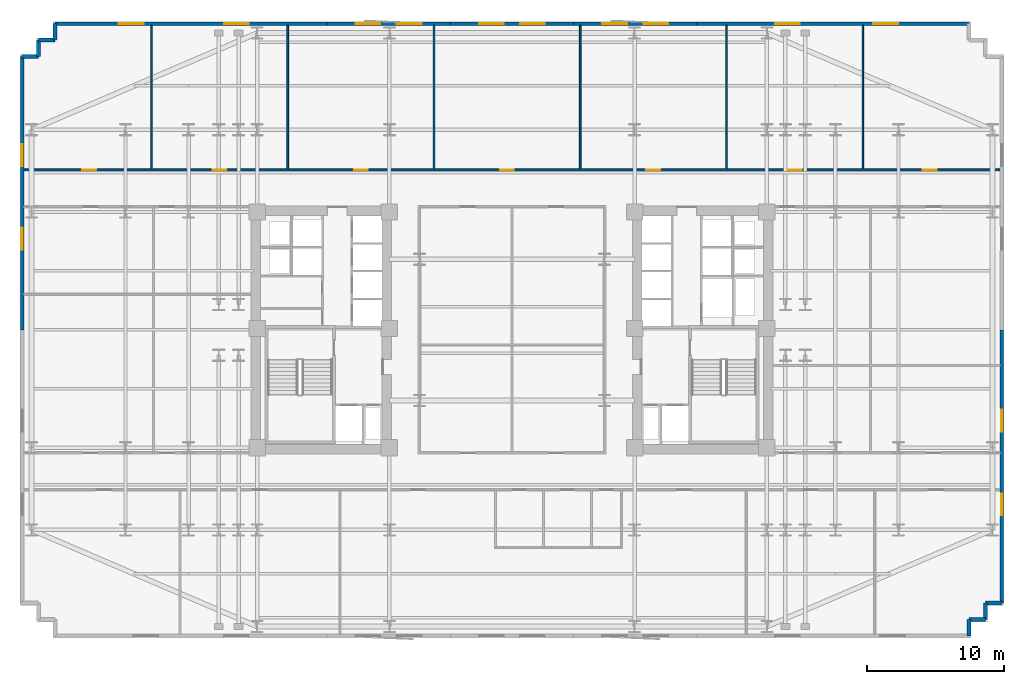
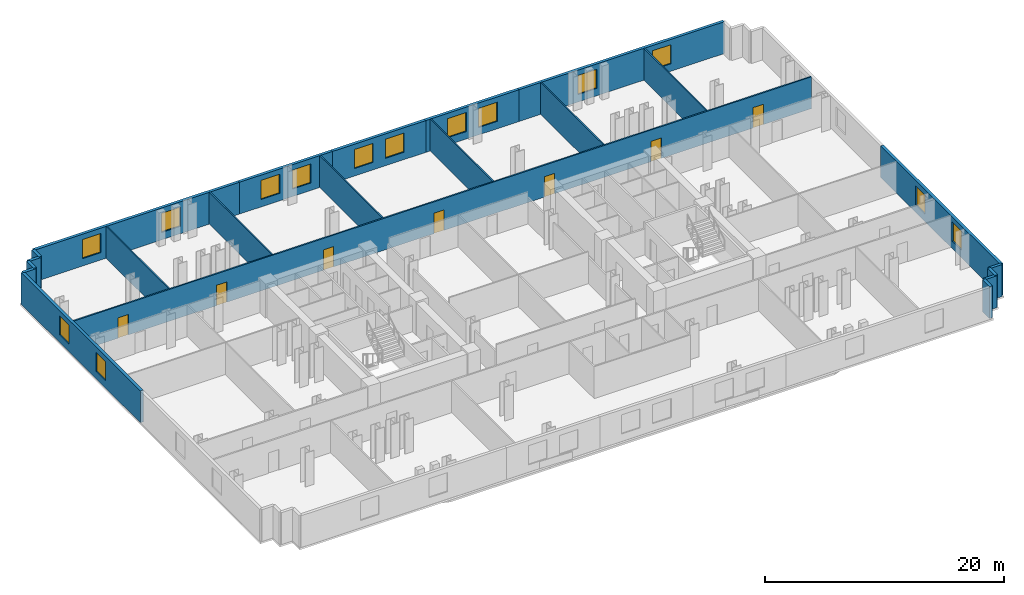
# One storey, part 7 of 10: 22 walls, 14 windows, 7 doors, 21 openings.
"""IFC4 building model written with IfcOpenShell, lengths in metres."""

from ifc_helpers import new_model, si_unit, direction, frame, frame_2d, origin, place, context, subcontext, project, spatial, rectangle, extrude, material, layer, layer_set, type_object, element, fill, save


model = new_model("IFC4")

# Units and contexts
model_context = context("Model", 3, precision=1e-05, world=origin(), true_north=direction((0.0, 1.0)))
body_context = subcontext(model_context, "Body", "Model", "MODEL_VIEW")
ifc_project = project(units=[si_unit("LENGTHUNIT", "METRE"), si_unit("AREAUNIT", "SQUARE_METRE"), si_unit("VOLUMEUNIT", "CUBIC_METRE"), si_unit("PLANEANGLEUNIT", "RADIAN"), si_unit("MASSUNIT", "GRAM", prefix="KILO")], contexts=[model_context])

# Site, building, storey
site_placement = place(None, origin())
site = spatial("IfcSite", under=ifc_project, at=site_placement, CompositionType="ELEMENT")
building_placement = place(site_placement, origin())
building = spatial("IfcBuilding", under=site, at=building_placement, Name="Velakula Bourse", CompositionType="ELEMENT")
storey_placement = place(building_placement, frame((0.0, 0.0, 62.25)))
storey = spatial("IfcBuildingStorey", under=building, at=storey_placement, Name="L16", CompositionType="ELEMENT", Elevation=62.25)

# Wall, openings, windows
ifc_material_1 = material(Name="Red kilned clay facing brick masonry", Category="masonry")
ifc_layer_1 = layer(ifc_material_1, 0.280029296875, Name="Red kilned clay facing brick masonry", Category="masonry")
ifc_layer_set_1 = layer_set([ifc_layer_1], Name="Red kilned clay facing brick masonry")
wall_type_1 = type_object("IfcWallType", Name="WL-EXT-BRK-280", PredefinedType="STANDARD", material=ifc_layer_set_1)
wall_1_placement = place(storey_placement, frame((-33.340087890625, 22.340087890625, 0.0), z_axis=(0.0, 0.0, 1.0), x_axis=(1.0, 0.0, 0.0)))
wall_1 = element("IfcWall", 1, at=wall_1_placement, inside=storey, type_object=wall_type_1, Name="L16 N Brick Spandrel Wall B1", PredefinedType="STANDARD", context=body_context, shape_type="SweptSolid", body=[
    extrude(rectangle(XDim=19.840087890625, YDim=0.280029296875, at=frame_2d((9.919921875, 0.0))), origin(), (0.0, 0.0, 1.0), 3.25),
])
opening_1_placement = place(wall_1_placement, frame((4.663330078125, 0.0, 0.760009765625)))
opening_1 = element("IfcOpeningElement", 2, at=opening_1_placement, cuts=wall_1, Name="Opening W-01", PredefinedType="OPENING", context=body_context, shape_type="SweptSolid", body=[
    extrude(rectangle(XDim=1.800048828125, YDim=1.949951171875, at=frame_2d((0.89990234375, 0.97509765625))), frame((0.0, 0.14990234375, 0.0), z_axis=(0.0, -1.0, 0.0), x_axis=(1.0, 0.0, 0.0)), (0.0, 0.0, 1.0), 0.300048828125),
])
opening_2_placement = place(wall_1_placement, frame((12.32666015625, 0.0, 0.760009765625)))
opening_2 = element("IfcOpeningElement", 3, at=opening_2_placement, cuts=wall_1, Name="Opening W-01", PredefinedType="OPENING", context=body_context, shape_type="SweptSolid", body=[
    extrude(rectangle(XDim=1.800048828125, YDim=1.949951171875, at=frame_2d((0.89990234375, 0.97509765625))), frame((0.0, 0.14990234375, 0.0), z_axis=(0.0, -1.0, 0.0), x_axis=(1.0, 0.0, 0.0)), (0.0, 0.0, 1.0), 0.300048828125),
])
ifc_material_2 = material(Name="Double-glazed solar-control Low-E glass", Category="glass")
window_type_1 = type_object("IfcWindowType", Name="WIN-TWR-1800x2100", PartitioningType="SINGLE_PANEL", PredefinedType="WINDOW", material=ifc_material_2)
window_1_placement = place(opening_1_placement, origin())
window_1 = element("IfcWindow", 4, at=window_1_placement, inside=storey, type_object=window_type_1, Name="L16 Deep-Set Recessed Window 1", OverallHeight=1.949951171875, OverallWidth=1.800048828125, PartitioningType="SINGLE_PANEL", PredefinedType="WINDOW", context=body_context, shape_type="SweptSolid", body=[
    extrude(rectangle(XDim=1.800048828125, YDim=1.949951171875, at=frame_2d((0.89990234375, 0.97509765625))), frame((0.0, 0.030029296875, 0.0), z_axis=(0.0, -1.0, 0.0), x_axis=(1.0, 0.0, 0.0)), (0.0, 0.0, 1.0), 0.06005859375),
])
fill(opening_1, window_1)
window_2_placement = place(opening_2_placement, origin())
window_2 = element("IfcWindow", 5, at=window_2_placement, inside=storey, type_object=window_type_1, Name="L16 Deep-Set Recessed Window 2", OverallHeight=1.949951171875, OverallWidth=1.800048828125, PartitioningType="SINGLE_PANEL", PredefinedType="WINDOW", context=body_context, shape_type="SweptSolid", body=[
    extrude(rectangle(XDim=1.800048828125, YDim=1.949951171875, at=frame_2d((0.89990234375, 0.97509765625))), frame((0.0, 0.030029296875, 0.0), z_axis=(0.0, -1.0, 0.0), x_axis=(1.0, 0.0, 0.0)), (0.0, 0.0, 1.0), 0.06005859375),
])
fill(opening_2, window_2)

wall_2_placement = place(storey_placement, frame((-13.5, 22.340087890625, 0.0), z_axis=(0.0, 0.0, 1.0), x_axis=(1.0, 0.0, 0.0)))
wall_2 = element("IfcWall", 6, at=wall_2_placement, inside=storey, type_object=wall_type_1, Name="L16 N Brick Spandrel Wall B2", PredefinedType="STANDARD", context=body_context, shape_type="SweptSolid", body=[
    extrude(rectangle(XDim=9.0, YDim=0.280029296875, at=frame_2d((4.5, 0.0))), origin(), (0.0, 0.0, 1.0), 3.25),
])
opening_3_placement = place(wall_2_placement, frame((2.10009765625, 0.0, 0.760009765625)))
opening_3 = element("IfcOpeningElement", 7, at=opening_3_placement, cuts=wall_2, Name="Opening W-01", PredefinedType="OPENING", context=body_context, shape_type="SweptSolid", body=[
    extrude(rectangle(XDim=1.800048828125, YDim=1.949951171875, at=frame_2d((0.89990234375, 0.97509765625))), frame((0.0, 0.14990234375, 0.0), z_axis=(0.0, -1.0, 0.0), x_axis=(1.0, 0.0, 0.0)), (0.0, 0.0, 1.0), 0.300048828125),
])
opening_4_placement = place(wall_2_placement, frame((5.10009765625, 0.0, 0.760009765625)))
opening_4 = element("IfcOpeningElement", 8, at=opening_4_placement, cuts=wall_2, Name="Opening W-01", PredefinedType="OPENING", context=body_context, shape_type="SweptSolid", body=[
    extrude(rectangle(XDim=1.800048828125, YDim=1.949951171875, at=frame_2d((0.89990234375, 0.97509765625))), frame((0.0, 0.14990234375, 0.0), z_axis=(0.0, -1.0, 0.0), x_axis=(1.0, 0.0, 0.0)), (0.0, 0.0, 1.0), 0.300048828125),
])
window_3_placement = place(opening_3_placement, origin())
window_3 = element("IfcWindow", 9, at=window_3_placement, inside=storey, type_object=window_type_1, Name="L16 Deep-Set Recessed Window 1", OverallHeight=1.949951171875, OverallWidth=1.800048828125, PartitioningType="SINGLE_PANEL", PredefinedType="WINDOW", context=body_context, shape_type="SweptSolid", body=[
    extrude(rectangle(XDim=1.800048828125, YDim=1.949951171875, at=frame_2d((0.89990234375, 0.97509765625))), frame((0.0, 0.030029296875, 0.0), z_axis=(0.0, -1.0, 0.0), x_axis=(1.0, 0.0, 0.0)), (0.0, 0.0, 1.0), 0.06005859375),
])
fill(opening_3, window_3)
window_4_placement = place(opening_4_placement, origin())
window_4 = element("IfcWindow", 10, at=window_4_placement, inside=storey, type_object=window_type_1, Name="L16 Deep-Set Recessed Window 2", OverallHeight=1.949951171875, OverallWidth=1.800048828125, PartitioningType="SINGLE_PANEL", PredefinedType="WINDOW", context=body_context, shape_type="SweptSolid", body=[
    extrude(rectangle(XDim=1.800048828125, YDim=1.949951171875, at=frame_2d((0.89990234375, 0.97509765625))), frame((0.0, 0.030029296875, 0.0), z_axis=(0.0, -1.0, 0.0), x_axis=(1.0, 0.0, 0.0)), (0.0, 0.0, 1.0), 0.06005859375),
])
fill(opening_4, window_4)

wall_3_placement = place(storey_placement, frame((-4.5, 22.340087890625, 0.0), z_axis=(0.0, 0.0, 1.0), x_axis=(1.0, 0.0, 0.0)))
wall_3 = element("IfcWall", 11, at=wall_3_placement, inside=storey, type_object=wall_type_1, Name="L16 N Brick Spandrel Wall B3", PredefinedType="STANDARD", context=body_context, shape_type="SweptSolid", body=[
    extrude(rectangle(XDim=9.0, YDim=0.280029296875, at=frame_2d((4.5, 0.0))), origin(), (0.0, 0.0, 1.0), 3.25),
])
opening_5_placement = place(wall_3_placement, frame((2.10009765625, 0.0, 0.760009765625)))
opening_5 = element("IfcOpeningElement", 12, at=opening_5_placement, cuts=wall_3, Name="Opening W-01", PredefinedType="OPENING", context=body_context, shape_type="SweptSolid", body=[
    extrude(rectangle(XDim=1.800048828125, YDim=1.949951171875, at=frame_2d((0.89990234375, 0.97509765625))), frame((0.0, 0.14990234375, 0.0), z_axis=(0.0, -1.0, 0.0), x_axis=(1.0, 0.0, 0.0)), (0.0, 0.0, 1.0), 0.300048828125),
])
opening_6_placement = place(wall_3_placement, frame((5.10009765625, 0.0, 0.760009765625)))
opening_6 = element("IfcOpeningElement", 13, at=opening_6_placement, cuts=wall_3, Name="Opening W-01", PredefinedType="OPENING", context=body_context, shape_type="SweptSolid", body=[
    extrude(rectangle(XDim=1.800048828125, YDim=1.949951171875, at=frame_2d((0.89990234375, 0.97509765625))), frame((0.0, 0.14990234375, 0.0), z_axis=(0.0, -1.0, 0.0), x_axis=(1.0, 0.0, 0.0)), (0.0, 0.0, 1.0), 0.300048828125),
])
window_5_placement = place(opening_5_placement, origin())
window_5 = element("IfcWindow", 14, at=window_5_placement, inside=storey, type_object=window_type_1, Name="L16 Deep-Set Recessed Window 1", OverallHeight=1.949951171875, OverallWidth=1.800048828125, PartitioningType="SINGLE_PANEL", PredefinedType="WINDOW", context=body_context, shape_type="SweptSolid", body=[
    extrude(rectangle(XDim=1.800048828125, YDim=1.949951171875, at=frame_2d((0.89990234375, 0.97509765625))), frame((0.0, 0.030029296875, 0.0), z_axis=(0.0, -1.0, 0.0), x_axis=(1.0, 0.0, 0.0)), (0.0, 0.0, 1.0), 0.06005859375),
])
fill(opening_5, window_5)
window_6_placement = place(opening_6_placement, origin())
window_6 = element("IfcWindow", 15, at=window_6_placement, inside=storey, type_object=window_type_1, Name="L16 Deep-Set Recessed Window 2", OverallHeight=1.949951171875, OverallWidth=1.800048828125, PartitioningType="SINGLE_PANEL", PredefinedType="WINDOW", context=body_context, shape_type="SweptSolid", body=[
    extrude(rectangle(XDim=1.800048828125, YDim=1.949951171875, at=frame_2d((0.89990234375, 0.97509765625))), frame((0.0, 0.030029296875, 0.0), z_axis=(0.0, -1.0, 0.0), x_axis=(1.0, 0.0, 0.0)), (0.0, 0.0, 1.0), 0.06005859375),
])
fill(opening_6, window_6)

wall_4_placement = place(storey_placement, frame((4.5, 22.340087890625, 0.0), z_axis=(0.0, 0.0, 1.0), x_axis=(1.0, 0.0, 0.0)))
wall_4 = element("IfcWall", 16, at=wall_4_placement, inside=storey, type_object=wall_type_1, Name="L16 N Brick Spandrel Wall B4", PredefinedType="STANDARD", context=body_context, shape_type="SweptSolid", body=[
    extrude(rectangle(XDim=9.0, YDim=0.280029296875, at=frame_2d((4.5, 0.0))), origin(), (0.0, 0.0, 1.0), 3.25),
])
opening_7_placement = place(wall_4_placement, frame((2.10009765625, 0.0, 0.760009765625)))
opening_7 = element("IfcOpeningElement", 17, at=opening_7_placement, cuts=wall_4, Name="Opening W-01", PredefinedType="OPENING", context=body_context, shape_type="SweptSolid", body=[
    extrude(rectangle(XDim=1.800048828125, YDim=1.949951171875, at=frame_2d((0.89990234375, 0.97509765625))), frame((0.0, 0.14990234375, 0.0), z_axis=(0.0, -1.0, 0.0), x_axis=(1.0, 0.0, 0.0)), (0.0, 0.0, 1.0), 0.300048828125),
])
opening_8_placement = place(wall_4_placement, frame((5.10009765625, 0.0, 0.760009765625)))
opening_8 = element("IfcOpeningElement", 18, at=opening_8_placement, cuts=wall_4, Name="Opening W-01", PredefinedType="OPENING", context=body_context, shape_type="SweptSolid", body=[
    extrude(rectangle(XDim=1.800048828125, YDim=1.949951171875, at=frame_2d((0.89990234375, 0.97509765625))), frame((0.0, 0.14990234375, 0.0), z_axis=(0.0, -1.0, 0.0), x_axis=(1.0, 0.0, 0.0)), (0.0, 0.0, 1.0), 0.300048828125),
])
window_7_placement = place(opening_7_placement, origin())
window_7 = element("IfcWindow", 19, at=window_7_placement, inside=storey, type_object=window_type_1, Name="L16 Deep-Set Recessed Window 1", OverallHeight=1.949951171875, OverallWidth=1.800048828125, PartitioningType="SINGLE_PANEL", PredefinedType="WINDOW", context=body_context, shape_type="SweptSolid", body=[
    extrude(rectangle(XDim=1.800048828125, YDim=1.949951171875, at=frame_2d((0.89990234375, 0.97509765625))), frame((0.0, 0.030029296875, 0.0), z_axis=(0.0, -1.0, 0.0), x_axis=(1.0, 0.0, 0.0)), (0.0, 0.0, 1.0), 0.06005859375),
])
fill(opening_7, window_7)
window_8_placement = place(opening_8_placement, origin())
window_8 = element("IfcWindow", 20, at=window_8_placement, inside=storey, type_object=window_type_1, Name="L16 Deep-Set Recessed Window 2", OverallHeight=1.949951171875, OverallWidth=1.800048828125, PartitioningType="SINGLE_PANEL", PredefinedType="WINDOW", context=body_context, shape_type="SweptSolid", body=[
    extrude(rectangle(XDim=1.800048828125, YDim=1.949951171875, at=frame_2d((0.89990234375, 0.97509765625))), frame((0.0, 0.030029296875, 0.0), z_axis=(0.0, -1.0, 0.0), x_axis=(1.0, 0.0, 0.0)), (0.0, 0.0, 1.0), 0.06005859375),
])
fill(opening_8, window_8)

wall_5_placement = place(storey_placement, frame((13.5, 22.340087890625, 0.0), z_axis=(0.0, 0.0, 1.0), x_axis=(1.0, 0.0, 0.0)))
wall_5 = element("IfcWall", 21, at=wall_5_placement, inside=storey, type_object=wall_type_1, Name="L16 N Brick Spandrel Wall B5", PredefinedType="STANDARD", context=body_context, shape_type="SweptSolid", body=[
    extrude(rectangle(XDim=19.840087890625, YDim=0.280029296875, at=frame_2d((9.919921875, 0.0))), origin(), (0.0, 0.0, 1.0), 3.25),
])
opening_9_placement = place(wall_5_placement, frame((5.71337890625, 0.0, 0.760009765625)))
opening_9 = element("IfcOpeningElement", 22, at=opening_9_placement, cuts=wall_5, Name="Opening W-01", PredefinedType="OPENING", context=body_context, shape_type="SweptSolid", body=[
    extrude(rectangle(XDim=1.800048828125, YDim=1.949951171875, at=frame_2d((0.89990234375, 0.97509765625))), frame((0.0, 0.14990234375, 0.0), z_axis=(0.0, -1.0, 0.0), x_axis=(1.0, 0.0, 0.0)), (0.0, 0.0, 1.0), 0.300048828125),
])
opening_10_placement = place(wall_5_placement, frame((12.876708984375, 0.0, 0.760009765625)))
opening_10 = element("IfcOpeningElement", 23, at=opening_10_placement, cuts=wall_5, Name="Opening W-01", PredefinedType="OPENING", context=body_context, shape_type="SweptSolid", body=[
    extrude(rectangle(XDim=1.800048828125, YDim=1.949951171875, at=frame_2d((0.89990234375, 0.97509765625))), frame((0.0, 0.14990234375, 0.0), z_axis=(0.0, -1.0, 0.0), x_axis=(1.0, 0.0, 0.0)), (0.0, 0.0, 1.0), 0.300048828125),
])
window_9_placement = place(opening_9_placement, origin())
window_9 = element("IfcWindow", 24, at=window_9_placement, inside=storey, type_object=window_type_1, Name="L16 Deep-Set Recessed Window 1", OverallHeight=1.949951171875, OverallWidth=1.800048828125, PartitioningType="SINGLE_PANEL", PredefinedType="WINDOW", context=body_context, shape_type="SweptSolid", body=[
    extrude(rectangle(XDim=1.800048828125, YDim=1.949951171875, at=frame_2d((0.89990234375, 0.97509765625))), frame((0.0, 0.030029296875, 0.0), z_axis=(0.0, -1.0, 0.0), x_axis=(1.0, 0.0, 0.0)), (0.0, 0.0, 1.0), 0.06005859375),
])
fill(opening_9, window_9)
window_10_placement = place(opening_10_placement, origin())
window_10 = element("IfcWindow", 25, at=window_10_placement, inside=storey, type_object=window_type_1, Name="L16 Deep-Set Recessed Window 2", OverallHeight=1.949951171875, OverallWidth=1.800048828125, PartitioningType="SINGLE_PANEL", PredefinedType="WINDOW", context=body_context, shape_type="SweptSolid", body=[
    extrude(rectangle(XDim=1.800048828125, YDim=1.949951171875, at=frame_2d((0.89990234375, 0.97509765625))), frame((0.0, 0.030029296875, 0.0), z_axis=(0.0, -1.0, 0.0), x_axis=(1.0, 0.0, 0.0)), (0.0, 0.0, 1.0), 0.06005859375),
])
fill(opening_10, window_10)

wall_6_placement = place(storey_placement, frame((-35.739990234375, 0.0, 0.0), z_axis=(0.0, 0.0, 1.0), x_axis=(0.0, 1.0, 0.0)))
wall_6 = element("IfcWall", 26, at=wall_6_placement, inside=storey, type_object=wall_type_1, Name="L16 W Brick End Wall W2", PredefinedType="STANDARD", context=body_context, shape_type="SweptSolid", body=[
    extrude(rectangle(XDim=19.93994140625, YDim=0.280029296875, at=frame_2d((9.969970703125, 0.0))), origin(), (0.0, 0.0, 1.0), 3.25),
])
opening_11_placement = place(wall_6_placement, frame((5.8466796875, 0.0, 0.760009765625)))
opening_11 = element("IfcOpeningElement", 27, at=opening_11_placement, cuts=wall_6, Name="Opening W-02", PredefinedType="OPENING", context=body_context, shape_type="SweptSolid", body=[
    extrude(rectangle(XDim=1.60009765625, YDim=1.949951171875, at=frame_2d((0.800048828125, 0.97509765625))), frame((0.0, 0.14990234375, 0.0), z_axis=(0.0, -1.0, 0.0), x_axis=(1.0, 0.0, 0.0)), (0.0, 0.0, 1.0), 0.300048828125),
])
opening_12_placement = place(wall_6_placement, frame((11.943359375, 0.0, 0.760009765625)))
opening_12 = element("IfcOpeningElement", 28, at=opening_12_placement, cuts=wall_6, Name="Opening W-02", PredefinedType="OPENING", context=body_context, shape_type="SweptSolid", body=[
    extrude(rectangle(XDim=1.60009765625, YDim=1.949951171875, at=frame_2d((0.800048828125, 0.97509765625))), frame((0.0, 0.14990234375, 0.0), z_axis=(0.0, -1.0, 0.0), x_axis=(1.0, 0.0, 0.0)), (0.0, 0.0, 1.0), 0.300048828125),
])
window_type_2 = type_object("IfcWindowType", Name="WIN-TWR-1600x2100", PartitioningType="SINGLE_PANEL", PredefinedType="WINDOW", material=ifc_material_2)
window_11_placement = place(opening_11_placement, origin())
window_11 = element("IfcWindow", 29, at=window_11_placement, inside=storey, type_object=window_type_2, Name="L16 Deep-Set Recessed Window 1", OverallHeight=1.949951171875, OverallWidth=1.60009765625, PartitioningType="SINGLE_PANEL", PredefinedType="WINDOW", context=body_context, shape_type="SweptSolid", body=[
    extrude(rectangle(XDim=1.60009765625, YDim=1.949951171875, at=frame_2d((0.800048828125, 0.97509765625))), frame((0.0, 0.030029296875, 0.0), z_axis=(0.0, -1.0, 0.0), x_axis=(1.0, 0.0, 0.0)), (0.0, 0.0, 1.0), 0.06005859375),
])
fill(opening_11, window_11)
window_12_placement = place(opening_12_placement, origin())
window_12 = element("IfcWindow", 30, at=window_12_placement, inside=storey, type_object=window_type_2, Name="L16 Deep-Set Recessed Window 2", OverallHeight=1.949951171875, OverallWidth=1.60009765625, PartitioningType="SINGLE_PANEL", PredefinedType="WINDOW", context=body_context, shape_type="SweptSolid", body=[
    extrude(rectangle(XDim=1.60009765625, YDim=1.949951171875, at=frame_2d((0.800048828125, 0.97509765625))), frame((0.0, 0.030029296875, 0.0), z_axis=(0.0, -1.0, 0.0), x_axis=(1.0, 0.0, 0.0)), (0.0, 0.0, 1.0), 0.06005859375),
])
fill(opening_12, window_12)

wall_7_placement = place(storey_placement, frame((35.739990234375, 0.0, 0.0), z_axis=(0.0, 0.0, 1.0), x_axis=(0.0, -1.0, 0.0)))
wall_7 = element("IfcWall", 31, at=wall_7_placement, inside=storey, type_object=wall_type_1, Name="L16 E Brick End Wall W1", PredefinedType="STANDARD", context=body_context, shape_type="SweptSolid", body=[
    extrude(rectangle(XDim=19.93994140625, YDim=0.280029296875, at=frame_2d((9.969970703125, 0.0))), origin(), (0.0, 0.0, 1.0), 3.25),
])
opening_13_placement = place(wall_7_placement, frame((5.8466796875, 0.0, 0.760009765625)))
opening_13 = element("IfcOpeningElement", 32, at=opening_13_placement, cuts=wall_7, Name="Opening W-02", PredefinedType="OPENING", context=body_context, shape_type="SweptSolid", body=[
    extrude(rectangle(XDim=1.60009765625, YDim=1.949951171875, at=frame_2d((0.800048828125, 0.97509765625))), frame((0.0, 0.14990234375, 0.0), z_axis=(0.0, -1.0, 0.0), x_axis=(1.0, 0.0, 0.0)), (0.0, 0.0, 1.0), 0.300048828125),
])
opening_14_placement = place(wall_7_placement, frame((11.943359375, 0.0, 0.760009765625)))
opening_14 = element("IfcOpeningElement", 33, at=opening_14_placement, cuts=wall_7, Name="Opening W-02", PredefinedType="OPENING", context=body_context, shape_type="SweptSolid", body=[
    extrude(rectangle(XDim=1.60009765625, YDim=1.949951171875, at=frame_2d((0.800048828125, 0.97509765625))), frame((0.0, 0.14990234375, 0.0), z_axis=(0.0, -1.0, 0.0), x_axis=(1.0, 0.0, 0.0)), (0.0, 0.0, 1.0), 0.300048828125),
])
window_13_placement = place(opening_13_placement, origin())
window_13 = element("IfcWindow", 34, at=window_13_placement, inside=storey, type_object=window_type_2, Name="L16 Deep-Set Recessed Window 1", OverallHeight=1.949951171875, OverallWidth=1.60009765625, PartitioningType="SINGLE_PANEL", PredefinedType="WINDOW", context=body_context, shape_type="SweptSolid", body=[
    extrude(rectangle(XDim=1.60009765625, YDim=1.949951171875, at=frame_2d((0.800048828125, 0.97509765625))), frame((0.0, 0.030029296875, 0.0), z_axis=(0.0, -1.0, 0.0), x_axis=(1.0, 0.0, 0.0)), (0.0, 0.0, 1.0), 0.06005859375),
])
fill(opening_13, window_13)
window_14_placement = place(opening_14_placement, origin())
window_14 = element("IfcWindow", 35, at=window_14_placement, inside=storey, type_object=window_type_2, Name="L16 Deep-Set Recessed Window 2", OverallHeight=1.949951171875, OverallWidth=1.60009765625, PartitioningType="SINGLE_PANEL", PredefinedType="WINDOW", context=body_context, shape_type="SweptSolid", body=[
    extrude(rectangle(XDim=1.60009765625, YDim=1.949951171875, at=frame_2d((0.800048828125, 0.97509765625))), frame((0.0, 0.030029296875, 0.0), z_axis=(0.0, -1.0, 0.0), x_axis=(1.0, 0.0, 0.0)), (0.0, 0.0, 1.0), 0.06005859375),
])
fill(opening_14, window_14)

# Walls
wall_8_placement = place(storey_placement, frame((33.340087890625, -22.340087890625, 0.0), z_axis=(0.0, 0.0, 1.0), x_axis=(0.0, 1.0, 0.0)))
element("IfcWall", 36, at=wall_8_placement, inside=storey, type_object=wall_type_1, Name="L16 Serrated Corner Brick Wall SE-1", PredefinedType="STANDARD", context=body_context, shape_type="SweptSolid", body=[
    extrude(rectangle(XDim=1.2001953125, YDim=0.280029296875, at=frame_2d((0.60009765625, 0.0))), origin(), (0.0, 0.0, 1.0), 3.25),
])
for number, where, z_axis, x_axis, name in (
    (37, (33.340087890625, -21.139892578125, 0.0), (0.0, 0.0, 1.0), (1.0, 0.0, 0.0), "L16 Serrated Corner Brick Wall SE-2"),
    (38, (34.5400390625, -21.139892578125, 0.0), (0.0, 0.0, 1.0), (0.0, 1.0, 0.0), "L16 Serrated Corner Brick Wall SE-3"),
    (39, (34.5400390625, -19.93994140625, 0.0), (0.0, 0.0, 1.0), (1.0, 0.0, 0.0), "L16 Serrated Corner Brick Wall SE-4"),
):
    element("IfcWall", number, at=place(storey_placement, frame(where, z_axis=z_axis, x_axis=x_axis)), inside=storey, type_object=wall_type_1, Name=name, PredefinedType="STANDARD", context=body_context, shape_type="SweptSolid", body=[
        extrude(rectangle(XDim=1.199951171875, YDim=0.280029296875, at=frame_2d((0.60009765625, 0.0))), origin(), (0.0, 0.0, 1.0), 3.25),
    ])
wall_9_placement = place(storey_placement, frame((-33.340087890625, 22.340087890625, 0.0), z_axis=(0.0, 0.0, 1.0), x_axis=(0.0, -1.0, 0.0)))
element("IfcWall", 40, at=wall_9_placement, inside=storey, type_object=wall_type_1, Name="L16 Serrated Corner Brick Wall NW-1", PredefinedType="STANDARD", context=body_context, shape_type="SweptSolid", body=[
    extrude(rectangle(XDim=1.2001953125, YDim=0.280029296875, at=frame_2d((0.60009765625, 0.0))), origin(), (0.0, 0.0, 1.0), 3.25),
])
for number, where, z_axis, x_axis, name in (
    (41, (-33.340087890625, 21.139892578125, 0.0), (0.0, 0.0, 1.0), (-1.0, 0.0, 0.0), "L16 Serrated Corner Brick Wall NW-2"),
    (42, (-34.5400390625, 21.139892578125, 0.0), (0.0, 0.0, 1.0), (0.0, -1.0, 0.0), "L16 Serrated Corner Brick Wall NW-3"),
    (43, (-34.5400390625, 19.93994140625, 0.0), (0.0, 0.0, 1.0), (-1.0, 0.0, 0.0), "L16 Serrated Corner Brick Wall NW-4"),
):
    element("IfcWall", number, at=place(storey_placement, frame(where, z_axis=z_axis, x_axis=x_axis)), inside=storey, type_object=wall_type_1, Name=name, PredefinedType="STANDARD", context=body_context, shape_type="SweptSolid", body=[
        extrude(rectangle(XDim=1.199951171875, YDim=0.280029296875, at=frame_2d((0.60009765625, 0.0))), origin(), (0.0, 0.0, 1.0), 3.25),
    ])
ifc_material_3 = material(Name="Fire-rated double-layer gypsum drywall partition", Category="gypsum")
ifc_layer_2 = layer(ifc_material_3, 0.1201171875, Name="Fire-rated double-layer gypsum drywall partition", Category="gypsum")
ifc_layer_set_2 = layer_set([ifc_layer_2], Name="Fire-rated double-layer gypsum drywall partition")
wall_type_2 = type_object("IfcWallType", Name="WL-PART-120", PredefinedType="STANDARD", material=ifc_layer_set_2)
for number, where, z_axis, x_axis, name in (
    (44, (-26.31396484375, 11.739990234375, 0.0), (0.0, 0.0, 1.0), (0.0, 1.0, 0.0), "L16 Interior Partition WL-INT-L16-N-D1"),
    (45, (-16.35791015625, 11.739990234375, 0.0), (0.0, 0.0, 1.0), (0.0, 1.0, 0.0), "L16 Interior Partition WL-INT-L16-N-D2"),
    (46, (-5.68994140625, 11.739990234375, 0.0), (0.0, 0.0, 1.0), (0.0, 1.0, 0.0), "L16 Interior Partition WL-INT-L16-N-D3"),
    (47, (4.97802734375, 11.739990234375, 0.0), (0.0, 0.0, 1.0), (0.0, 1.0, 0.0), "L16 Interior Partition WL-INT-L16-N-D4"),
    (48, (15.64599609375, 11.739990234375, 0.0), (0.0, 0.0, 1.0), (0.0, 1.0, 0.0), "L16 Interior Partition WL-INT-L16-N-D5"),
    (49, (25.60302734375, 11.739990234375, 0.0), (0.0, 0.0, 1.0), (0.0, 1.0, 0.0), "L16 Interior Partition WL-INT-L16-N-D6"),
):
    element("IfcWall", number, at=place(storey_placement, frame(where, z_axis=z_axis, x_axis=x_axis)), inside=storey, type_object=wall_type_2, Name=name, PredefinedType="STANDARD", context=body_context, shape_type="SweptSolid", body=[
        extrude(rectangle(XDim=10.47998046875, YDim=0.1201171875, at=frame_2d((5.239990234375, 0.0))), origin(), (0.0, 0.0, 1.0), 3.25),
    ])

# Wall, openings, doors
ifc_layer_3 = layer(ifc_material_3, 0.139892578125, Name="Fire-rated double-layer gypsum drywall partition", Category="gypsum")
ifc_layer_set_3 = layer_set([ifc_layer_3], Name="Fire-rated double-layer gypsum drywall partition")
wall_type_3 = type_object("IfcWallType", Name="WL-PART-140", PredefinedType="STANDARD", material=ifc_layer_set_3)
wall_10_placement = place(storey_placement, frame((-35.6201171875, 11.669921875, 0.0), z_axis=(0.0, 0.0, 1.0), x_axis=(1.0, 0.0, 0.0)))
wall_10 = element("IfcWall", 50, at=wall_10_placement, inside=storey, type_object=wall_type_3, Name="L16 Interior Partition WL-INT-L16-N-CORR", PredefinedType="STANDARD", context=body_context, shape_type="SweptSolid", body=[
    extrude(rectangle(XDim=71.240234375, YDim=0.139892578125, at=frame_2d((35.6201171875, 0.0))), origin(), (0.0, 0.0, 1.0), 3.25),
])
opening_15_placement = place(wall_10_placement, frame((4.279052734375, 0.0, 0.0)))
opening_15 = element("IfcOpeningElement", 51, at=opening_15_placement, cuts=wall_10, Name="Opening D-OF1", PredefinedType="OPENING", context=body_context, shape_type="SweptSolid", body=[
    extrude(rectangle(XDim=1.0, YDim=2.080078125, at=frame_2d((0.5, 1.0400390625))), frame((0.0, 0.079833984375, 0.0), z_axis=(0.0, -1.0, 0.0), x_axis=(1.0, 0.0, 0.0)), (0.0, 0.0, 1.0), 0.159912109375),
])
opening_16_placement = place(wall_10_placement, frame((13.783935546875, 0.0, 0.0)))
opening_16 = element("IfcOpeningElement", 52, at=opening_16_placement, cuts=wall_10, Name="Opening D-OF1", PredefinedType="OPENING", context=body_context, shape_type="SweptSolid", body=[
    extrude(rectangle(XDim=1.0, YDim=2.080078125, at=frame_2d((0.5, 1.0400390625))), frame((0.0, 0.079833984375, 0.0), z_axis=(0.0, -1.0, 0.0), x_axis=(1.0, 0.0, 0.0)), (0.0, 0.0, 1.0), 0.159912109375),
])
opening_17_placement = place(wall_10_placement, frame((24.095947265625, 0.0, 0.0)))
opening_17 = element("IfcOpeningElement", 53, at=opening_17_placement, cuts=wall_10, Name="Opening D-OF1", PredefinedType="OPENING", context=body_context, shape_type="SweptSolid", body=[
    extrude(rectangle(XDim=1.0, YDim=2.080078125, at=frame_2d((0.5, 1.0400390625))), frame((0.0, 0.079833984375, 0.0), z_axis=(0.0, -1.0, 0.0), x_axis=(1.0, 0.0, 0.0)), (0.0, 0.0, 1.0), 0.159912109375),
])
opening_18_placement = place(wall_10_placement, frame((34.763916015625, 0.0, 0.0)))
opening_18 = element("IfcOpeningElement", 54, at=opening_18_placement, cuts=wall_10, Name="Opening D-OF1", PredefinedType="OPENING", context=body_context, shape_type="SweptSolid", body=[
    extrude(rectangle(XDim=1.0, YDim=2.080078125, at=frame_2d((0.5, 1.0400390625))), frame((0.0, 0.079833984375, 0.0), z_axis=(0.0, -1.0, 0.0), x_axis=(1.0, 0.0, 0.0)), (0.0, 0.0, 1.0), 0.159912109375),
])
opening_19_placement = place(wall_10_placement, frame((45.431884765625, 0.0, 0.0)))
opening_19 = element("IfcOpeningElement", 55, at=opening_19_placement, cuts=wall_10, Name="Opening D-OF1", PredefinedType="OPENING", context=body_context, shape_type="SweptSolid", body=[
    extrude(rectangle(XDim=1.0, YDim=2.080078125, at=frame_2d((0.5, 1.0400390625))), frame((0.0, 0.079833984375, 0.0), z_axis=(0.0, -1.0, 0.0), x_axis=(1.0, 0.0, 0.0)), (0.0, 0.0, 1.0), 0.159912109375),
])
opening_20_placement = place(wall_10_placement, frame((55.744384765625, 0.0, 0.0)))
opening_20 = element("IfcOpeningElement", 56, at=opening_20_placement, cuts=wall_10, Name="Opening D-OF1", PredefinedType="OPENING", context=body_context, shape_type="SweptSolid", body=[
    extrude(rectangle(XDim=1.0, YDim=2.080078125, at=frame_2d((0.5, 1.0400390625))), frame((0.0, 0.079833984375, 0.0), z_axis=(0.0, -1.0, 0.0), x_axis=(1.0, 0.0, 0.0)), (0.0, 0.0, 1.0), 0.159912109375),
])
opening_21_placement = place(wall_10_placement, frame((65.60546875, 0.0, 0.0)))
opening_21 = element("IfcOpeningElement", 57, at=opening_21_placement, cuts=wall_10, Name="Opening D-OF1", PredefinedType="OPENING", context=body_context, shape_type="SweptSolid", body=[
    extrude(rectangle(XDim=1.0, YDim=2.080078125, at=frame_2d((0.5, 1.0400390625))), frame((0.0, 0.079833984375, 0.0), z_axis=(0.0, -1.0, 0.0), x_axis=(1.0, 0.0, 0.0)), (0.0, 0.0, 1.0), 0.159912109375),
])
ifc_material_4 = material(Name="Fire-rated hardwood flush architectural door", Category="wood")
door_type = type_object("IfcDoorType", Name="DR-OFF-1000", OperationType="NOTDEFINED", PredefinedType="DOOR", material=ifc_material_4)
door_1_placement = place(opening_15_placement, origin())
door_1 = element("IfcDoor", 58, at=door_1_placement, inside=storey, type_object=door_type, Name="L16 Commodity Futures Workspace Door", OperationType="SINGLE_SWING_LEFT", OverallHeight=2.080078125, OverallWidth=1.0, PredefinedType="DOOR", context=body_context, shape_type="SweptSolid", body=[
    extrude(rectangle(XDim=1.0, YDim=2.080078125, at=frame_2d((0.5, 1.0400390625))), frame((0.0, 0.02490234375, 0.0), z_axis=(0.0, -1.0, 0.0), x_axis=(1.0, 0.0, 0.0)), (0.0, 0.0, 1.0), 0.050048828125),
])
fill(opening_15, door_1)
door_2_placement = place(opening_16_placement, origin())
door_2 = element("IfcDoor", 59, at=door_2_placement, inside=storey, type_object=door_type, Name="L16 Training Classroom Door", OperationType="SINGLE_SWING_RIGHT", OverallHeight=2.080078125, OverallWidth=1.0, PredefinedType="DOOR", context=body_context, shape_type="SweptSolid", body=[
    extrude(rectangle(XDim=1.0, YDim=2.080078125, at=frame_2d((0.5, 1.0400390625))), frame((0.0, 0.02490234375, 0.0), z_axis=(0.0, -1.0, 0.0), x_axis=(1.0, 0.0, 0.0)), (0.0, 0.0, 1.0), 0.050048828125),
])
fill(opening_16, door_2)
door_3_placement = place(opening_17_placement, origin())
door_3 = element("IfcDoor", 60, at=door_3_placement, inside=storey, type_object=door_type, Name="L16 Tea Room Kitchenette Door", OperationType="SINGLE_SWING_LEFT", OverallHeight=2.080078125, OverallWidth=1.0, PredefinedType="DOOR", context=body_context, shape_type="SweptSolid", body=[
    extrude(rectangle(XDim=1.0, YDim=2.080078125, at=frame_2d((0.5, 1.0400390625))), frame((0.0, 0.02490234375, 0.0), z_axis=(0.0, -1.0, 0.0), x_axis=(1.0, 0.0, 0.0)), (0.0, 0.0, 1.0), 0.050048828125),
])
fill(opening_17, door_3)
door_4_placement = place(opening_18_placement, origin())
door_4 = element("IfcDoor", 61, at=door_4_placement, inside=storey, type_object=door_type, Name="L16 Quiet Financial Library Door", OperationType="SINGLE_SWING_RIGHT", OverallHeight=2.080078125, OverallWidth=1.0, PredefinedType="DOOR", context=body_context, shape_type="SweptSolid", body=[
    extrude(rectangle(XDim=1.0, YDim=2.080078125, at=frame_2d((0.5, 1.0400390625))), frame((0.0, 0.02490234375, 0.0), z_axis=(0.0, -1.0, 0.0), x_axis=(1.0, 0.0, 0.0)), (0.0, 0.0, 1.0), 0.050048828125),
])
fill(opening_18, door_4)
door_5_placement = place(opening_19_placement, origin())
door_5 = element("IfcDoor", 62, at=door_5_placement, inside=storey, type_object=door_type, Name="L16 Issuer Relations Office Door", OperationType="SINGLE_SWING_LEFT", OverallHeight=2.080078125, OverallWidth=1.0, PredefinedType="DOOR", context=body_context, shape_type="SweptSolid", body=[
    extrude(rectangle(XDim=1.0, YDim=2.080078125, at=frame_2d((0.5, 1.0400390625))), frame((0.0, 0.02490234375, 0.0), z_axis=(0.0, -1.0, 0.0), x_axis=(1.0, 0.0, 0.0)), (0.0, 0.0, 1.0), 0.050048828125),
])
fill(opening_19, door_5)
door_6_placement = place(opening_20_placement, origin())
door_6 = element("IfcDoor", 63, at=door_6_placement, inside=storey, type_object=door_type, Name="L16 Commodity Futures Workspace Door", OperationType="SINGLE_SWING_RIGHT", OverallHeight=2.080078125, OverallWidth=1.0, PredefinedType="DOOR", context=body_context, shape_type="SweptSolid", body=[
    extrude(rectangle(XDim=1.0, YDim=2.080078125, at=frame_2d((0.5, 1.0400390625))), frame((0.0, 0.02490234375, 0.0), z_axis=(0.0, -1.0, 0.0), x_axis=(1.0, 0.0, 0.0)), (0.0, 0.0, 1.0), 0.050048828125),
])
fill(opening_20, door_6)
door_7_placement = place(opening_21_placement, origin())
door_7 = element("IfcDoor", 64, at=door_7_placement, inside=storey, type_object=door_type, Name="L16 Company Secretary Office Door", OperationType="SINGLE_SWING_LEFT", OverallHeight=2.080078125, OverallWidth=1.0, PredefinedType="DOOR", context=body_context, shape_type="SweptSolid", body=[
    extrude(rectangle(XDim=1.0, YDim=2.080078125, at=frame_2d((0.5, 1.0400390625))), frame((0.0, 0.02490234375, 0.0), z_axis=(0.0, -1.0, 0.0), x_axis=(1.0, 0.0, 0.0)), (0.0, 0.0, 1.0), 0.050048828125),
])
fill(opening_21, door_7)

save(model, "model.ifc")
